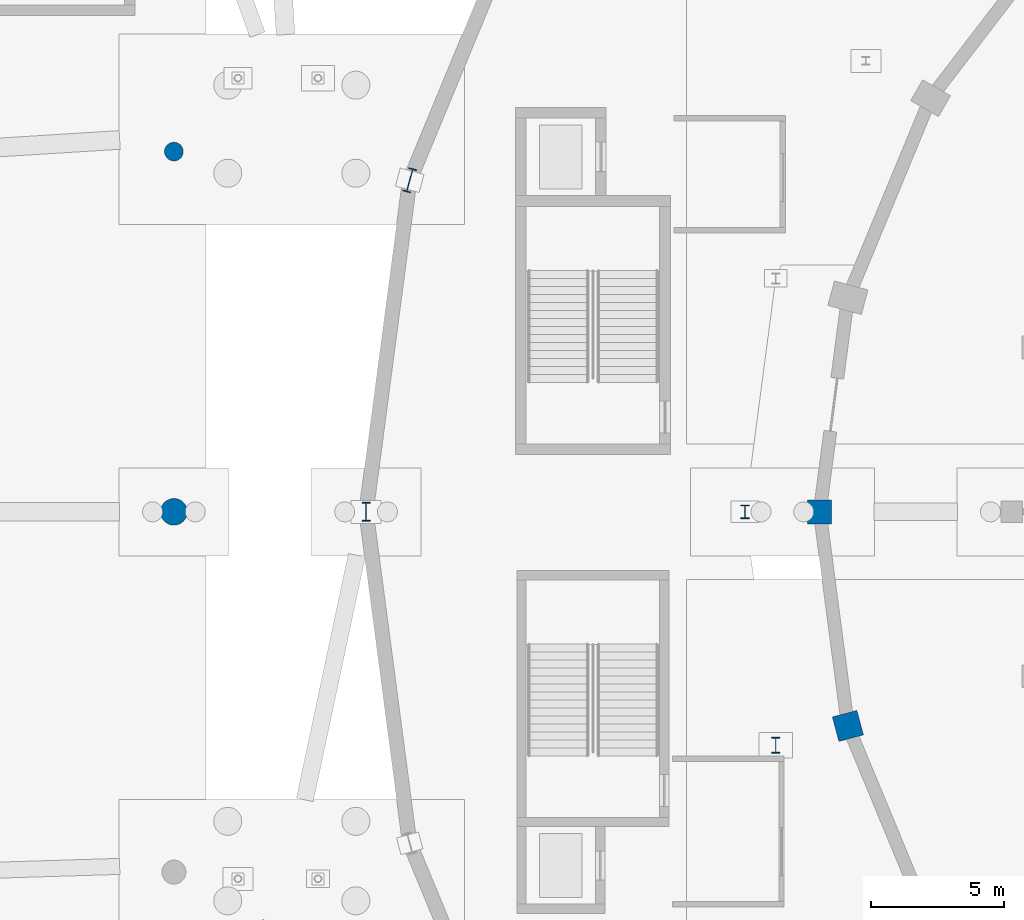
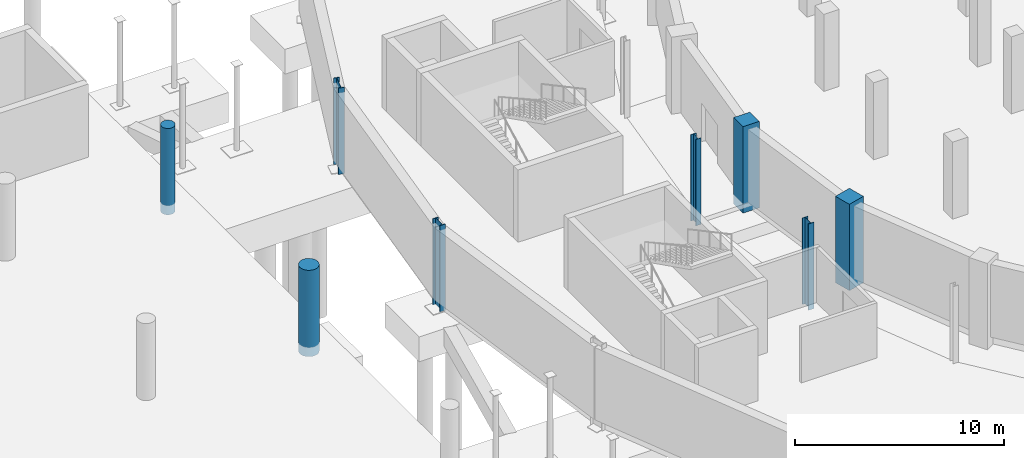
# One storey, part 18 of 55: 8 columns.
"""IFC4 building model written with IfcOpenShell, lengths in metres."""

from ifc_helpers import new_model, si_unit, direction, frame, origin, origin_2d, place, context, subcontext, project, spatial, rectangle, circle, i_section, extrude, material, material_profile, profile_set, type_object, element, save


model = new_model("IFC4")

# Units and contexts
model_context = context("Model", 3, precision=1e-05, world=origin(), true_north=direction((0.0, 1.0)))
body_context = subcontext(model_context, "Body", "Model", "MODEL_VIEW")
ifc_project = project(units=[si_unit("LENGTHUNIT", "METRE"), si_unit("AREAUNIT", "SQUARE_METRE"), si_unit("VOLUMEUNIT", "CUBIC_METRE"), si_unit("PLANEANGLEUNIT", "RADIAN"), si_unit("MASSUNIT", "GRAM", prefix="KILO")], contexts=[model_context])

# Site, building, storey
site_placement = place(None, origin())
site = spatial("IfcSite", under=ifc_project, at=site_placement, CompositionType="ELEMENT")
building_placement = place(site_placement, origin())
building = spatial("IfcBuilding", under=site, at=building_placement, Name="Sohan Crest Arena", CompositionType="ELEMENT")
storey_placement = place(building_placement, frame((0.0, 0.0, -4.5)))
storey = spatial("IfcBuildingStorey", under=building, at=storey_placement, Name="B1", CompositionType="ELEMENT", Elevation=-4.5)

# Columns
ifc_material_1 = material(Name="Concrete C40/50", Category="concrete")
ifc_material_profile_1 = material_profile(ifc_material_1, rectangle(XDim=0.89990234375, YDim=0.89990234375, at=origin_2d()), Name="RC 900x900")
ifc_profile_set_1 = profile_set([ifc_material_profile_1], Name="Concrete C40/50")
column_type_1 = type_object("IfcColumnType", Name="STR-COL-C07", PredefinedType="COLUMN", material=ifc_profile_set_1)
column_1_placement = place(storey_placement, frame((67.0, 78.0, -0.550048828125), z_axis=(0.0, 0.0, 1.0), x_axis=(1.0, 0.0, 0.0)))
element("IfcColumn", 1, at=column_1_placement, inside=storey, type_object=column_type_1, Name="Structural column COL-V1R-07-B1", PredefinedType="COLUMN", context=body_context, shape_type="SweptSolid", body=[
    extrude(rectangle(XDim=0.89990234375, YDim=0.89990234375, at=origin_2d()), origin(), (0.0, 0.0, 1.0), 5.050048828125),
])
ifc_material_profile_2 = material_profile(ifc_material_1, rectangle(XDim=0.949951171875, YDim=0.949951171875, at=origin_2d()), Name="RC 950x950")
ifc_profile_set_2 = profile_set([ifc_material_profile_2], Name="Concrete C40/50")
column_type_2 = type_object("IfcColumnType", Name="STR-COL-C08", PredefinedType="COLUMN", material=ifc_profile_set_2)
column_2_placement = place(storey_placement, frame((68.055908203125, 69.97705078125, -0.550048828125), z_axis=(0.0, 0.0, 1.0), x_axis=(0.965925826289, 0.258819045103, 0.0)))
element("IfcColumn", 2, at=column_2_placement, inside=storey, type_object=column_type_2, Name="Structural column COL-V1R-08-B1", PredefinedType="COLUMN", context=body_context, shape_type="SweptSolid", body=[
    extrude(rectangle(XDim=0.949951171875, YDim=0.949951171875, at=origin_2d()), origin(), (0.0, 0.0, 1.0), 5.050048828125),
])
ifc_material_profile_3 = material_profile(ifc_material_1, circle(Radius=0.35009765625, at=origin_2d()), Name="RC D700")
ifc_profile_set_3 = profile_set([ifc_material_profile_3], Name="Concrete C40/50")
column_type_3 = type_object("IfcColumnType", Name="STR-COL-C13", PredefinedType="COLUMN", material=ifc_profile_set_3)
column_3_placement = place(storey_placement, frame((42.800048828125, 91.5, -0.550048828125), z_axis=(0.0, 0.0, 1.0), x_axis=(1.0, 0.0, 0.0)))
element("IfcColumn", 3, at=column_3_placement, inside=storey, type_object=column_type_3, Name="Structural column COL-V3C-44-B1", PredefinedType="COLUMN", context=body_context, shape_type="SweptSolid", body=[
    extrude(circle(Radius=0.35009765625, at=origin_2d()), origin(), (0.0, 0.0, 1.0), 5.050048828125),
])
ifc_material_profile_4 = material_profile(ifc_material_1, circle(Radius=0.5, at=origin_2d()), Name="RC D1000")
ifc_profile_set_4 = profile_set([ifc_material_profile_4], Name="Concrete C40/50")
column_type_4 = type_object("IfcColumnType", Name="STR-COL-C16", PredefinedType="COLUMN", material=ifc_profile_set_4)
column_4_placement = place(storey_placement, frame((42.800048828125, 78.0, -0.550048828125), z_axis=(0.0, 0.0, 1.0), x_axis=(1.0, 0.0, 0.0)))
element("IfcColumn", 4, at=column_4_placement, inside=storey, type_object=column_type_4, Name="Structural column COL-V3C-43-B1", PredefinedType="COLUMN", context=body_context, shape_type="SweptSolid", body=[
    extrude(circle(Radius=0.5, at=origin_2d()), origin(), (0.0, 0.0, 1.0), 5.050048828125),
])
ifc_material_2 = material(Name="Steel S355", Category="steel")
ifc_material_profile_5 = material_profile(ifc_material_2, i_section(OverallWidth=0.300048828125, OverallDepth=0.5, WebThickness=0.014404296875, FlangeThickness=0.028076171875, at=origin_2d()), Name="HEB 500")
ifc_profile_set_5 = profile_set([ifc_material_profile_5], Name="Steel S355")
column_type_5 = type_object("IfcColumnType", Name="STR-COL-C19", PredefinedType="COLUMN", material=ifc_profile_set_5)
column_5_placement = place(storey_placement, frame((64.199951171875, 78.0, -0.550048828125), z_axis=(0.0, 0.0, 1.0), x_axis=(1.0, 0.0, 0.0)))
element("IfcColumn", 5, at=column_5_placement, inside=storey, type_object=column_type_5, Name="Structural column COL-V2I-07-B1", PredefinedType="COLUMN", context=body_context, shape_type="SweptSolid", body=[
    extrude(i_section(OverallWidth=0.300048828125, OverallDepth=0.5, WebThickness=0.014404296875, FlangeThickness=0.028076171875, at=origin_2d()), origin(), (0.0, 0.0, 1.0), 5.050048828125),
])
ifc_material_profile_6 = material_profile(ifc_material_2, i_section(OverallWidth=0.300048828125, OverallDepth=0.60009765625, WebThickness=0.015380859375, FlangeThickness=0.030029296875, at=origin_2d()), Name="HEB 600")
ifc_profile_set_6 = profile_set([ifc_material_profile_6], Name="Steel S355")
column_type_6 = type_object("IfcColumnType", Name="STR-COL-C20", PredefinedType="COLUMN", material=ifc_profile_set_6)
column_6_placement = place(storey_placement, frame((65.35205078125, 69.251953125, -0.550048828125), z_axis=(0.0, 0.0, 1.0), x_axis=(1.0, 0.0, 0.0)))
element("IfcColumn", 6, at=column_6_placement, inside=storey, type_object=column_type_6, Name="Structural column COL-V2I-08-B1", PredefinedType="COLUMN", context=body_context, shape_type="SweptSolid", body=[
    extrude(i_section(OverallWidth=0.300048828125, OverallDepth=0.60009765625, WebThickness=0.015380859375, FlangeThickness=0.030029296875, at=origin_2d()), origin(), (0.0, 0.0, 1.0), 5.050048828125),
])
ifc_material_profile_7 = material_profile(ifc_material_2, i_section(OverallWidth=0.300048828125, OverallDepth=0.699951171875, WebThickness=0.01708984375, FlangeThickness=0.031982421875, at=origin_2d()), Name="HEB 700")
ifc_profile_set_7 = profile_set([ifc_material_profile_7], Name="Steel S355")
column_type_7 = type_object("IfcColumnType", Name="STR-COL-C21", PredefinedType="COLUMN", material=ifc_profile_set_7)
column_7_placement = place(storey_placement, frame((50.0, 78.0, -0.550048828125), z_axis=(0.0, 0.0, 1.0), x_axis=(1.0, 0.0, 0.0)))
element("IfcColumn", 7, at=column_7_placement, inside=storey, type_object=column_type_7, Name="Structural column COL-V2O-07-B1", PredefinedType="COLUMN", context=body_context, shape_type="SweptSolid", body=[
    extrude(i_section(OverallWidth=0.300048828125, OverallDepth=0.699951171875, WebThickness=0.01708984375, FlangeThickness=0.031982421875, at=origin_2d()), origin(), (0.0, 0.0, 1.0), 5.050048828125),
])
ifc_material_profile_8 = material_profile(ifc_material_2, i_section(OverallWidth=0.300048828125, OverallDepth=0.89990234375, WebThickness=0.0185546875, FlangeThickness=0.034912109375, at=origin_2d()), Name="HEB 900")
ifc_profile_set_8 = profile_set([ifc_material_profile_8], Name="Steel S355")
column_type_8 = type_object("IfcColumnType", Name="STR-COL-C23", PredefinedType="COLUMN", material=ifc_profile_set_8)
column_8_placement = place(storey_placement, frame((51.635986328125, 90.423095703125, -0.550048828125), z_axis=(0.0, 0.0, 1.0), x_axis=(-0.965925826289, 0.258819045103, 0.0)))
element("IfcColumn", 8, at=column_8_placement, inside=storey, type_object=column_type_8, Name="Structural column COL-V2O-06-B1", PredefinedType="COLUMN", context=body_context, shape_type="SweptSolid", body=[
    extrude(i_section(OverallWidth=0.300048828125, OverallDepth=0.89990234375, WebThickness=0.0185546875, FlangeThickness=0.034912109375, at=origin_2d()), origin(), (0.0, 0.0, 1.0), 5.050048828125),
])

save(model, "model.ifc")
